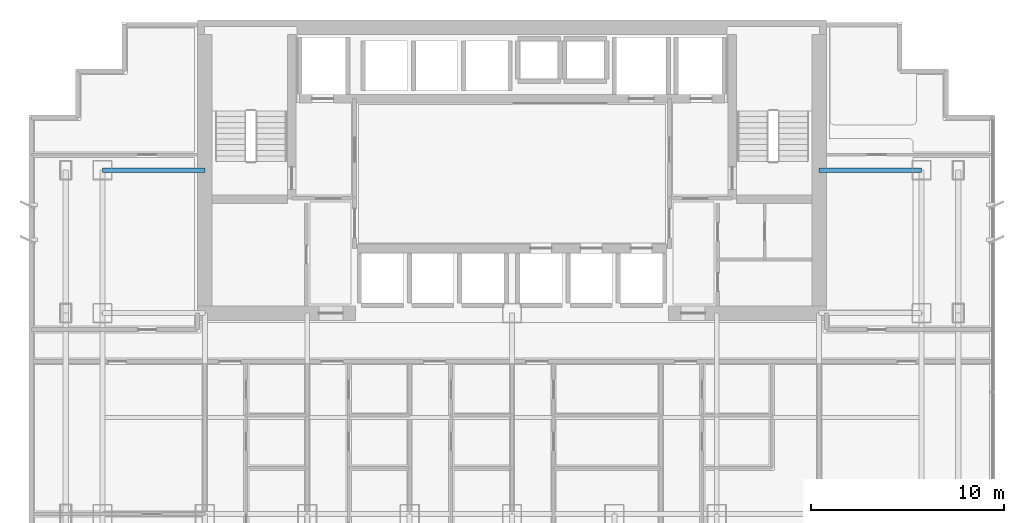
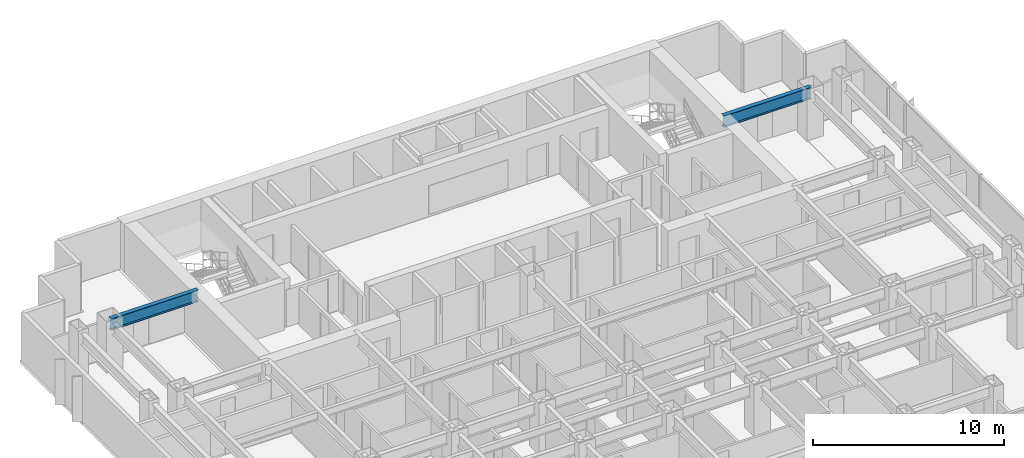
# One storey, part 4 of 12: 2 beams.
"""IFC4 building model written with IfcOpenShell, lengths in metres."""

import ifcopenshell
import ifcopenshell.guid

model = None  # the IFC model being written
_history = None  # IfcOwnerHistory: only IFC2X3 demands one
_inside = {}  # id of a spatial element -> (the spatial element, [elements in it])
_under = {}  # id of a project, library or spatial element -> (it, [spatial elements below it])
_declared = {}  # id of a project -> (the project, [libraries it declares])
_typed = {}  # id of a type object -> (the type object, [elements of that type])
_made_of = {}  # id of a material, layer set ... -> (it, [elements and type objects made of it])


def new_model(schema):
    """Start an empty IFC model of exactly this schema.

    Asked for "IFC4X3", IfcOpenShell would pick the latest addendum, in which some entities
    have other attributes; the version numbers below select the first issue.
    IFC2X3 requires an IfcOwnerHistory on every rooted entity: one is made here for all.
    """
    global model, _history
    if schema == "IFC4X3":
        model = ifcopenshell.file(schema_version=(4, 3, 0, 0))
    else:
        model = ifcopenshell.file(schema=schema)
    _inside.clear()
    _under.clear()
    _declared.clear()
    _typed.clear()
    _made_of.clear()
    _history = None
    if model.schema == "IFC2X3":
        org = make("IfcOrganization", Name="unknown")
        user = make(
            "IfcPersonAndOrganization",
            ThePerson=make("IfcPerson", FamilyName="unknown"),
            TheOrganization=org,
        )
        app = make(
            "IfcApplication",
            ApplicationDeveloper=org,
            Version="unknown",
            ApplicationFullName="unknown",
            ApplicationIdentifier="unknown",
        )
        _history = make(
            "IfcOwnerHistory",
            OwningUser=user,
            OwningApplication=app,
            ChangeAction="ADDED",
            CreationDate=0,
        )
    return model


def make(cls, **values):
    """One entity of the class cls with the attributes given. An attribute that is None is left unset."""
    return model.create_entity(
        cls, **{name: value for name, value in values.items() if value is not None}
    )


def rooted(cls, **values):
    """An entity with a GlobalId (a new one), such as an element, a storey or a relation."""
    return make(cls, GlobalId=ifcopenshell.guid.new(), OwnerHistory=_history, **values)


def si_unit(unit_type, name, prefix=None):
    """IfcSIUnit, for example si_unit("LENGTHUNIT", "METRE", prefix="MILLI")."""
    return make("IfcSIUnit", UnitType=unit_type, Prefix=prefix, Name=name)


def assignment(units):
    """IfcUnitAssignment: the units of a project."""
    return None if units is None else make("IfcUnitAssignment", Units=units)


def point(xyz):
    """IfcCartesianPoint."""
    return None if xyz is None else make("IfcCartesianPoint", Coordinates=xyz)


def direction(xyz):
    """IfcDirection."""
    return None if xyz is None else make("IfcDirection", DirectionRatios=xyz)


def frame(location, z_axis=None, x_axis=None):
    """IfcAxis2Placement3D, a coordinate frame: its origin and axes. An axis left out is left unset."""
    return make(
        "IfcAxis2Placement3D",
        Location=point(location),
        Axis=direction(z_axis),
        RefDirection=direction(x_axis),
    )


def frame_2d(location, x_axis=None):
    """IfcAxis2Placement2D, a coordinate frame in the plane: its origin and x axis."""
    return make(
        "IfcAxis2Placement2D", Location=point(location), RefDirection=direction(x_axis)
    )


def origin():
    """The frame at (0, 0, 0) with its axes left unset."""
    return frame((0.0, 0.0, 0.0))


def origin_2d():
    """The frame at (0, 0) in the plane with its x axis left unset."""
    return frame_2d((0.0, 0.0))


def place(relative_to, where):
    """IfcLocalPlacement: puts the frame where relative to a parent placement (None: the world)."""
    return make(
        "IfcLocalPlacement", PlacementRelTo=relative_to, RelativePlacement=where
    )


def context(
    kind, dimensions, precision=None, world=None, true_north=None, identifier=None
):
    """IfcGeometricRepresentationContext, for example the 3D "Model" context."""
    return make(
        "IfcGeometricRepresentationContext",
        ContextIdentifier=identifier,
        ContextType=kind,
        CoordinateSpaceDimension=dimensions,
        Precision=precision,
        WorldCoordinateSystem=world,
        TrueNorth=true_north,
    )


def subcontext(parent, identifier, kind, view, scale=None):
    """IfcGeometricRepresentationSubContext, for example "Body" below "Model"."""
    return make(
        "IfcGeometricRepresentationSubContext",
        ContextIdentifier=identifier,
        ContextType=kind,
        ParentContext=parent,
        TargetScale=scale,
        TargetView=view,
    )


def project(units=None, contexts=None):
    """IfcProject with its units and contexts."""
    return rooted(
        "IfcProject",
        Name="project",
        RepresentationContexts=contexts,
        UnitsInContext=assignment(units),
    )


def spatial(cls, under=None, at=None, **own):
    """A site, building, storey or space (cls), placed at a placement, below another one or the project."""
    s = rooted(cls, ObjectPlacement=at, **own)
    if under is not None:
        _under.setdefault(under.id(), (under, []))[1].append(s)
    return s


def profile(cls, at=None, kind="AREA", **sizes):
    """A parametric profile (cls). Its sizes go by their IFC names, for example OverallWidth=200.0."""
    return make(cls, ProfileType=kind, Position=at, **sizes)


def i_section(**sizes):
    """IfcIShapeProfileDef."""
    return profile("IfcIShapeProfileDef", **sizes)


def extrude(swept, where, along, depth):
    """IfcExtrudedAreaSolid: the profile swept, set in the frame where, extruded along a direction by depth."""
    return make(
        "IfcExtrudedAreaSolid",
        SweptArea=swept,
        Position=where,
        ExtrudedDirection=direction(along),
        Depth=depth,
    )


def shape(context_of_items, identifier, shape_type, items):
    """IfcShapeRepresentation: the items that make up one representation, for example the "Body"."""
    return make(
        "IfcShapeRepresentation",
        ContextOfItems=context_of_items,
        RepresentationIdentifier=identifier,
        RepresentationType=shape_type,
        Items=items,
    )


def material(Name=None, Category=None):
    """IfcMaterial."""
    return make("IfcMaterial", Name=Name, Category=Category)


def material_profile(
    of_material, cross_section, Name=None, Category=None, Priority=None
):
    """IfcMaterialProfile: a cross section and its material."""
    return make(
        "IfcMaterialProfile",
        Name=Name,
        Material=of_material,
        Profile=cross_section,
        Priority=Priority,
        Category=Category,
    )


def profile_set(profiles, Name=None, composite=None):
    """IfcMaterialProfileSet."""
    return make(
        "IfcMaterialProfileSet",
        Name=Name,
        MaterialProfiles=profiles,
        CompositeProfile=composite,
    )


def made_of(thing, what):
    """Note that an element or type object is made of a material, layer set ...; save() writes the relation."""
    if what is not None:
        _made_of.setdefault(what.id(), (what, []))[1].append(thing)
    return thing


def type_object(cls, material=None, **own):
    """A type object (cls), such as IfcWallType, which elements share."""
    return made_of(rooted(cls, **own), material)


def element(
    cls,
    number,
    at=None,
    inside=None,
    cuts=None,
    type_object=None,
    material=None,
    context=None,
    identifier="Body",
    shape_type=None,
    held_by="IfcProductDefinitionShape",
    body=None,
    shapes=None,
    **own,
):
    """One element of the class cls, such as IfcWall. Its Tag is "e" and its number.

    at: its placement. inside: the storey or other place that contains it. cuts: it is an
    opening in that element (IfcRelVoidsElement). A single representation is given by context,
    identifier, shape_type and body (its items); several are given by shapes. held_by: the class
    of the entity that holds the representations. save() writes the other relations.
    """
    e = rooted(cls, Tag="e%d" % number, ObjectPlacement=at, **own)
    if body is not None:
        shapes = [shape(context, identifier, shape_type, body)]
    if shapes is not None:
        e.Representation = make(held_by, Representations=shapes)
    if inside is not None:
        _inside.setdefault(inside.id(), (inside, []))[1].append(e)
    if cuts is not None:
        rooted(
            "IfcRelVoidsElement", RelatingBuildingElement=cuts, RelatedOpeningElement=e
        )
    if type_object is not None:
        _typed.setdefault(type_object.id(), (type_object, []))[1].append(e)
    return made_of(e, material)


def aggregate(whole, parts):
    """IfcRelAggregates: a whole, such as a stair, and the parts it consists of."""
    return rooted("IfcRelAggregates", RelatingObject=whole, RelatedObjects=parts)


def save(model, path):
    """Write the relations noted so far, then the file.

    IfcRelAggregates (storeys below a building ...), IfcRelContainedInSpatialStructure (elements
    in a storey), IfcRelDefinesByType, IfcRelAssociatesMaterial and IfcRelDeclares: one each for
    every whole, place, type object, material and project.
    """
    for whole, parts in _under.values():
        aggregate(whole, parts)
    for where, things in _inside.values():
        rooted(
            "IfcRelContainedInSpatialStructure",
            RelatedElements=things,
            RelatingStructure=where,
        )
    for kind, things in _typed.values():
        rooted("IfcRelDefinesByType", RelatedObjects=things, RelatingType=kind)
    for what, things in _made_of.values():
        rooted("IfcRelAssociatesMaterial", RelatedObjects=things, RelatingMaterial=what)
    for by, libraries in _declared.values():
        rooted("IfcRelDeclares", RelatingContext=by, RelatedDefinitions=libraries)
    model.write(path)


model = new_model("IFC4")

# Units and contexts
model_context = context("Model", 3, precision=1e-05, world=origin(), true_north=direction((0.0, 1.0)))
body_context = subcontext(model_context, "Body", "Model", "MODEL_VIEW")
ifc_project = project(units=[si_unit("LENGTHUNIT", "METRE"), si_unit("AREAUNIT", "SQUARE_METRE"), si_unit("VOLUMEUNIT", "CUBIC_METRE"), si_unit("PLANEANGLEUNIT", "RADIAN"), si_unit("MASSUNIT", "GRAM", prefix="KILO")], contexts=[model_context])

# Site, building, storey
site_placement = place(None, origin())
site = spatial("IfcSite", under=ifc_project, at=site_placement, CompositionType="ELEMENT")
building_placement = place(site_placement, origin())
building = spatial("IfcBuilding", under=site, at=building_placement, Name="Qianlan Lanfeng Residences", CompositionType="ELEMENT")
storey_placement = place(building_placement, frame((0.0, 0.0, 81.699951171875)))
storey = spatial("IfcBuildingStorey", under=building, at=storey_placement, Name="L21", CompositionType="ELEMENT", Elevation=81.699951171875)

# Beams
ifc_material = material(Name="Steel SN490B", Category="steel")
ifc_material_profile = material_profile(ifc_material, i_section(OverallWidth=0.25, OverallDepth=0.75, WebThickness=0.013916015625, FlangeThickness=0.02490234375, at=origin_2d()), Name="H 750x250x14x25")
ifc_profile_set = profile_set([ifc_material_profile], Name="Steel SN490B")
beam_type = type_object("IfcBeamType", Name="G-850", PredefinedType="BEAM", material=ifc_profile_set)
for number, where, z_axis, x_axis, name in (
    (1, (5.300048828125, 32.60009765625, 2.715087890625), (1.0, 0.0, 0.0), (0.0, 1.0, 0.0), "Structural beam G-850"),
    (2, (42.39990234375, 32.60009765625, 2.715087890625), (1.0, 0.0, 0.0), (0.0, 1.0, 0.0), "Structural beam G-850"),
):
    element("IfcBeam", number, at=place(storey_placement, frame(where, z_axis=z_axis, x_axis=x_axis)), inside=storey, type_object=beam_type, Name=name, PredefinedType="BEAM", context=body_context, shape_type="SweptSolid", body=[
        extrude(i_section(OverallWidth=0.25, OverallDepth=0.75, WebThickness=0.013916015625, FlangeThickness=0.02490234375, at=origin_2d()), origin(), (0.0, 0.0, 1.0), 5.300048828125),
    ])

save(model, "model.ifc")
